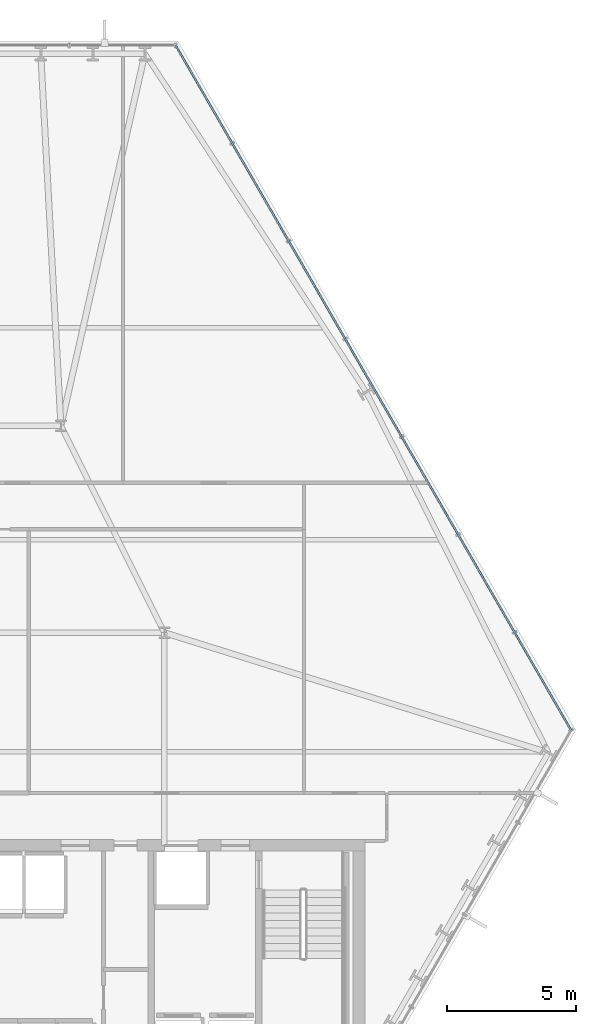
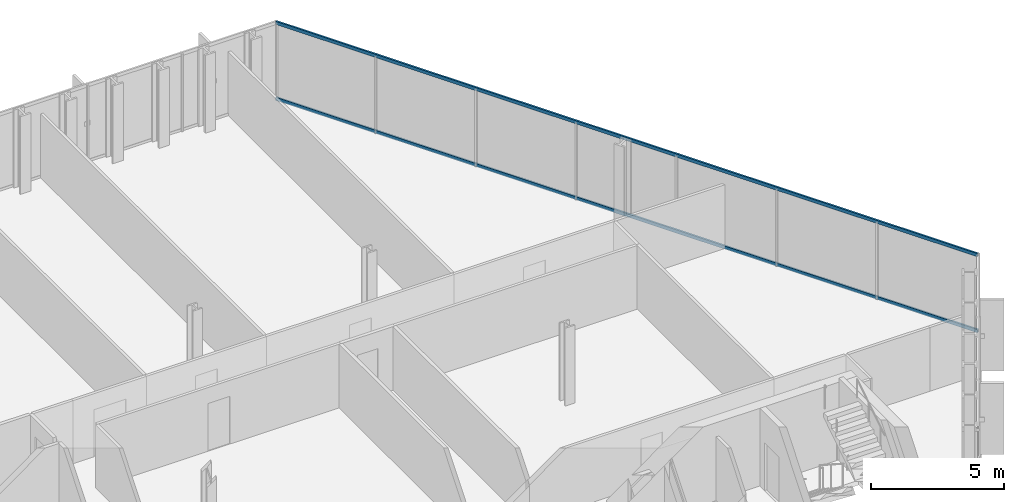
# One storey, part 18 of 33: 2 members, 1 element without a shape of its own.
"""IFC4 building model written with IfcOpenShell, lengths in metres."""

import ifcopenshell
import ifcopenshell.guid

model = None  # the IFC model being written
_history = None  # IfcOwnerHistory: only IFC2X3 demands one
_inside = {}  # id of a spatial element -> (the spatial element, [elements in it])
_under = {}  # id of a project, library or spatial element -> (it, [spatial elements below it])
_declared = {}  # id of a project -> (the project, [libraries it declares])
_typed = {}  # id of a type object -> (the type object, [elements of that type])
_made_of = {}  # id of a material, layer set ... -> (it, [elements and type objects made of it])


def new_model(schema):
    """Start an empty IFC model of exactly this schema.

    Asked for "IFC4X3", IfcOpenShell would pick the latest addendum, in which some entities
    have other attributes; the version numbers below select the first issue.
    IFC2X3 requires an IfcOwnerHistory on every rooted entity: one is made here for all.
    """
    global model, _history
    if schema == "IFC4X3":
        model = ifcopenshell.file(schema_version=(4, 3, 0, 0))
    else:
        model = ifcopenshell.file(schema=schema)
    _inside.clear()
    _under.clear()
    _declared.clear()
    _typed.clear()
    _made_of.clear()
    _history = None
    if model.schema == "IFC2X3":
        org = make("IfcOrganization", Name="unknown")
        user = make(
            "IfcPersonAndOrganization",
            ThePerson=make("IfcPerson", FamilyName="unknown"),
            TheOrganization=org,
        )
        app = make(
            "IfcApplication",
            ApplicationDeveloper=org,
            Version="unknown",
            ApplicationFullName="unknown",
            ApplicationIdentifier="unknown",
        )
        _history = make(
            "IfcOwnerHistory",
            OwningUser=user,
            OwningApplication=app,
            ChangeAction="ADDED",
            CreationDate=0,
        )
    return model


def make(cls, **values):
    """One entity of the class cls with the attributes given. An attribute that is None is left unset."""
    return model.create_entity(
        cls, **{name: value for name, value in values.items() if value is not None}
    )


def rooted(cls, **values):
    """An entity with a GlobalId (a new one), such as an element, a storey or a relation."""
    return make(cls, GlobalId=ifcopenshell.guid.new(), OwnerHistory=_history, **values)


def si_unit(unit_type, name, prefix=None):
    """IfcSIUnit, for example si_unit("LENGTHUNIT", "METRE", prefix="MILLI")."""
    return make("IfcSIUnit", UnitType=unit_type, Prefix=prefix, Name=name)


def assignment(units):
    """IfcUnitAssignment: the units of a project."""
    return None if units is None else make("IfcUnitAssignment", Units=units)


def point(xyz):
    """IfcCartesianPoint."""
    return None if xyz is None else make("IfcCartesianPoint", Coordinates=xyz)


def direction(xyz):
    """IfcDirection."""
    return None if xyz is None else make("IfcDirection", DirectionRatios=xyz)


def frame(location, z_axis=None, x_axis=None):
    """IfcAxis2Placement3D, a coordinate frame: its origin and axes. An axis left out is left unset."""
    return make(
        "IfcAxis2Placement3D",
        Location=point(location),
        Axis=direction(z_axis),
        RefDirection=direction(x_axis),
    )


def frame_2d(location, x_axis=None):
    """IfcAxis2Placement2D, a coordinate frame in the plane: its origin and x axis."""
    return make(
        "IfcAxis2Placement2D", Location=point(location), RefDirection=direction(x_axis)
    )


def origin():
    """The frame at (0, 0, 0) with its axes left unset."""
    return frame((0.0, 0.0, 0.0))


def origin_2d():
    """The frame at (0, 0) in the plane with its x axis left unset."""
    return frame_2d((0.0, 0.0))


def place(relative_to, where):
    """IfcLocalPlacement: puts the frame where relative to a parent placement (None: the world)."""
    return make(
        "IfcLocalPlacement", PlacementRelTo=relative_to, RelativePlacement=where
    )


def context(
    kind, dimensions, precision=None, world=None, true_north=None, identifier=None
):
    """IfcGeometricRepresentationContext, for example the 3D "Model" context."""
    return make(
        "IfcGeometricRepresentationContext",
        ContextIdentifier=identifier,
        ContextType=kind,
        CoordinateSpaceDimension=dimensions,
        Precision=precision,
        WorldCoordinateSystem=world,
        TrueNorth=true_north,
    )


def subcontext(parent, identifier, kind, view, scale=None):
    """IfcGeometricRepresentationSubContext, for example "Body" below "Model"."""
    return make(
        "IfcGeometricRepresentationSubContext",
        ContextIdentifier=identifier,
        ContextType=kind,
        ParentContext=parent,
        TargetScale=scale,
        TargetView=view,
    )


def project(units=None, contexts=None):
    """IfcProject with its units and contexts."""
    return rooted(
        "IfcProject",
        Name="project",
        RepresentationContexts=contexts,
        UnitsInContext=assignment(units),
    )


def spatial(cls, under=None, at=None, **own):
    """A site, building, storey or space (cls), placed at a placement, below another one or the project."""
    s = rooted(cls, ObjectPlacement=at, **own)
    if under is not None:
        _under.setdefault(under.id(), (under, []))[1].append(s)
    return s


def profile(cls, at=None, kind="AREA", **sizes):
    """A parametric profile (cls). Its sizes go by their IFC names, for example OverallWidth=200.0."""
    return make(cls, ProfileType=kind, Position=at, **sizes)


def hollow_rectangle(**sizes):
    """IfcRectangleHollowProfileDef."""
    return profile("IfcRectangleHollowProfileDef", **sizes)


def extrude(swept, where, along, depth):
    """IfcExtrudedAreaSolid: the profile swept, set in the frame where, extruded along a direction by depth."""
    return make(
        "IfcExtrudedAreaSolid",
        SweptArea=swept,
        Position=where,
        ExtrudedDirection=direction(along),
        Depth=depth,
    )


def shape(context_of_items, identifier, shape_type, items):
    """IfcShapeRepresentation: the items that make up one representation, for example the "Body"."""
    return make(
        "IfcShapeRepresentation",
        ContextOfItems=context_of_items,
        RepresentationIdentifier=identifier,
        RepresentationType=shape_type,
        Items=items,
    )


def material(Name=None, Category=None):
    """IfcMaterial."""
    return make("IfcMaterial", Name=Name, Category=Category)


def layer(
    of_material, thickness, ventilated=None, Name=None, Category=None, Priority=None
):
    """IfcMaterialLayer: one layer of a wall or slab, of a material (None: an air gap)."""
    return make(
        "IfcMaterialLayer",
        Material=of_material,
        LayerThickness=thickness,
        IsVentilated=ventilated,
        Name=Name,
        Category=Category,
        Priority=Priority,
    )


def layer_set(layers, Name=None):
    """IfcMaterialLayerSet."""
    return make("IfcMaterialLayerSet", MaterialLayers=layers, LayerSetName=Name)


def material_profile(
    of_material, cross_section, Name=None, Category=None, Priority=None
):
    """IfcMaterialProfile: a cross section and its material."""
    return make(
        "IfcMaterialProfile",
        Name=Name,
        Material=of_material,
        Profile=cross_section,
        Priority=Priority,
        Category=Category,
    )


def profile_set(profiles, Name=None, composite=None):
    """IfcMaterialProfileSet."""
    return make(
        "IfcMaterialProfileSet",
        Name=Name,
        MaterialProfiles=profiles,
        CompositeProfile=composite,
    )


def made_of(thing, what):
    """Note that an element or type object is made of a material, layer set ...; save() writes the relation."""
    if what is not None:
        _made_of.setdefault(what.id(), (what, []))[1].append(thing)
    return thing


def type_object(cls, material=None, **own):
    """A type object (cls), such as IfcWallType, which elements share."""
    return made_of(rooted(cls, **own), material)


def element(
    cls,
    number,
    at=None,
    inside=None,
    cuts=None,
    type_object=None,
    material=None,
    context=None,
    identifier="Body",
    shape_type=None,
    held_by="IfcProductDefinitionShape",
    body=None,
    shapes=None,
    **own,
):
    """One element of the class cls, such as IfcWall. Its Tag is "e" and its number.

    at: its placement. inside: the storey or other place that contains it. cuts: it is an
    opening in that element (IfcRelVoidsElement). A single representation is given by context,
    identifier, shape_type and body (its items); several are given by shapes. held_by: the class
    of the entity that holds the representations. save() writes the other relations.
    """
    e = rooted(cls, Tag="e%d" % number, ObjectPlacement=at, **own)
    if body is not None:
        shapes = [shape(context, identifier, shape_type, body)]
    if shapes is not None:
        e.Representation = make(held_by, Representations=shapes)
    if inside is not None:
        _inside.setdefault(inside.id(), (inside, []))[1].append(e)
    if cuts is not None:
        rooted(
            "IfcRelVoidsElement", RelatingBuildingElement=cuts, RelatedOpeningElement=e
        )
    if type_object is not None:
        _typed.setdefault(type_object.id(), (type_object, []))[1].append(e)
    return made_of(e, material)


def aggregate(whole, parts):
    """IfcRelAggregates: a whole, such as a stair, and the parts it consists of."""
    return rooted("IfcRelAggregates", RelatingObject=whole, RelatedObjects=parts)


def save(model, path):
    """Write the relations noted so far, then the file.

    IfcRelAggregates (storeys below a building ...), IfcRelContainedInSpatialStructure (elements
    in a storey), IfcRelDefinesByType, IfcRelAssociatesMaterial and IfcRelDeclares: one each for
    every whole, place, type object, material and project.
    """
    for whole, parts in _under.values():
        aggregate(whole, parts)
    for where, things in _inside.values():
        rooted(
            "IfcRelContainedInSpatialStructure",
            RelatedElements=things,
            RelatingStructure=where,
        )
    for kind, things in _typed.values():
        rooted("IfcRelDefinesByType", RelatedObjects=things, RelatingType=kind)
    for what, things in _made_of.values():
        rooted("IfcRelAssociatesMaterial", RelatedObjects=things, RelatingMaterial=what)
    for by, libraries in _declared.values():
        rooted("IfcRelDeclares", RelatingContext=by, RelatedDefinitions=libraries)
    model.write(path)


model = new_model("IFC4")

# Units and contexts
model_context = context("Model", 3, precision=1e-05, world=origin(), true_north=direction((0.0, 1.0)))
body_context = subcontext(model_context, "Body", "Model", "MODEL_VIEW")
ifc_project = project(units=[si_unit("LENGTHUNIT", "METRE"), si_unit("AREAUNIT", "SQUARE_METRE"), si_unit("VOLUMEUNIT", "CUBIC_METRE"), si_unit("PLANEANGLEUNIT", "RADIAN"), si_unit("MASSUNIT", "GRAM", prefix="KILO")], contexts=[model_context])

# Site, building, storey
site_placement = place(None, origin())
site = spatial("IfcSite", under=ifc_project, at=site_placement, CompositionType="ELEMENT")
building_placement = place(site_placement, origin())
building = spatial("IfcBuilding", under=site, at=building_placement, Name="Ndaravel Arena Tower", CompositionType="ELEMENT")
storey_placement = place(building_placement, frame((0.0, 0.0, 36.0)))
storey = spatial("IfcBuildingStorey", under=building, at=storey_placement, Name="L06", CompositionType="ELEMENT", Elevation=36.0)

# Curtain wall, members
ifc_material_1 = material(Name="Aluminium", Category="aluminium")
ifc_layer = layer(ifc_material_1, 0.179931640625)
ifc_layer_set = layer_set([ifc_layer], Name="Aluminium")
curtain_wall_type = type_object("IfcCurtainWallType", Name="CW-SYS-03", PredefinedType="NOTDEFINED", material=ifc_layer_set)
curtain_wall_placement = place(storey_placement, origin())
curtain_wall = element("IfcCurtainWall", 1, at=curtain_wall_placement, inside=storey, type_object=curtain_wall_type, Name="L06 Faceted Crystal Curtain Wall CW-L06-E03", PredefinedType="NOTDEFINED")
ifc_material_2 = material(Name="Aluminium", Category="aluminium")
ifc_material_profile = material_profile(ifc_material_2, hollow_rectangle(XDim=0.074951171875, YDim=0.14990234375, WallThickness=0.00390625, at=origin_2d()), Name="CW TRANSOM 75x150x4")
ifc_profile_set = profile_set([ifc_material_profile], Name="Aluminium")
member_type = type_object("IfcMemberType", Name="MEM-CW-TRN150", PredefinedType="USERDEFINED", material=ifc_profile_set)
member_1_placement = place(storey_placement, frame((65.527099609375, 19.429931640625, 0.0400390625), z_axis=(-0.500002605586, 0.866023899444, 0.0), x_axis=(-0.866023899444, -0.500002605586, 0.0)))
member_1 = element("IfcMember", 2, at=member_1_placement, type_object=member_type, Name="CW-L06-E03 Transom 01", ObjectType="TRANSOM", PredefinedType="USERDEFINED", context=body_context, shape_type="SweptSolid", body=[
    extrude(hollow_rectangle(XDim=0.074951171875, YDim=0.14990234375, WallThickness=0.00390625, at=origin_2d()), origin(), (0.0, 0.0, 1.0), 30.576416015625),
])
member_2_placement = place(storey_placement, frame((65.527099609375, 19.429931640625, 3.5400390625), z_axis=(-0.500002605586, 0.866023899444, 0.0), x_axis=(-0.866023899444, -0.500002605586, 0.0)))
member_2 = element("IfcMember", 3, at=member_2_placement, type_object=member_type, Name="CW-L06-E03 Transom 02", ObjectType="TRANSOM", PredefinedType="USERDEFINED", context=body_context, shape_type="SweptSolid", body=[
    extrude(hollow_rectangle(XDim=0.074951171875, YDim=0.14990234375, WallThickness=0.00390625, at=origin_2d()), origin(), (0.0, 0.0, 1.0), 30.576416015625),
])
aggregate(curtain_wall, [member_1, member_2])

save(model, "model.ifc")
